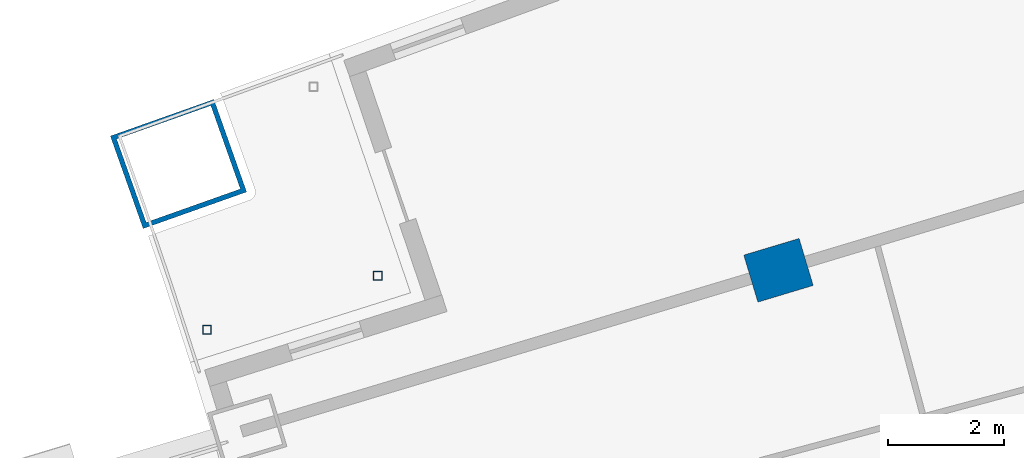
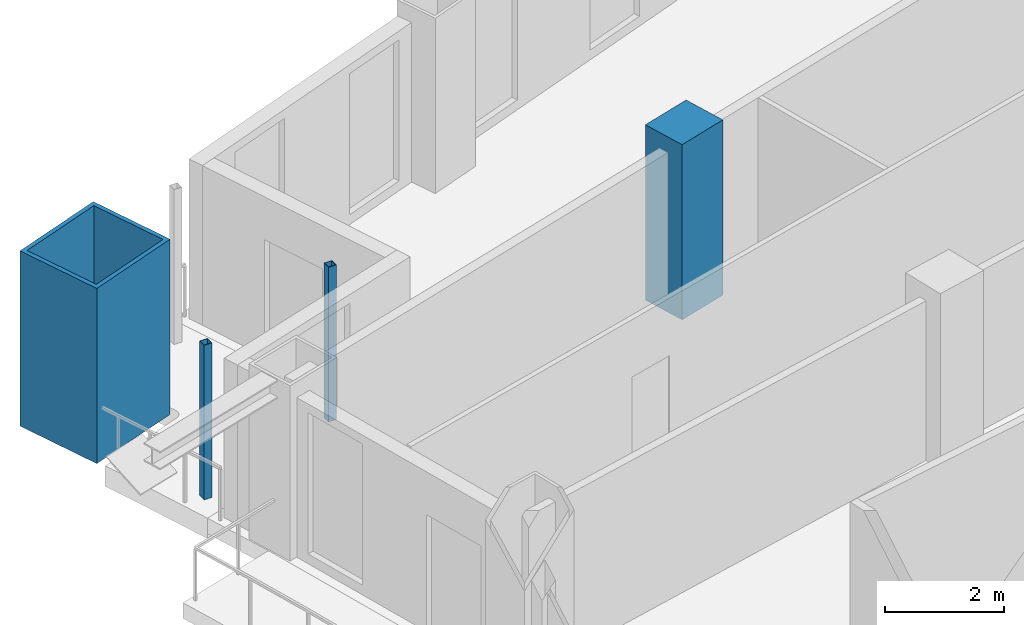
# One storey, part 7 of 25: 4 columns.
"""IFC4 building model written with IfcOpenShell, lengths in metres."""

from ifc_helpers import new_model, si_unit, direction, frame, origin, origin_2d, place, context, subcontext, project, spatial, rectangle, hollow_rectangle, extrude, material, material_profile, profile_set, type_object, element, save


model = new_model("IFC4")

# Units and contexts
model_context = context("Model", 3, precision=1e-05, world=origin(), true_north=direction((0.0, 1.0)))
body_context = subcontext(model_context, "Body", "Model", "MODEL_VIEW")
ifc_project = project(units=[si_unit("LENGTHUNIT", "METRE"), si_unit("AREAUNIT", "SQUARE_METRE"), si_unit("VOLUMEUNIT", "CUBIC_METRE"), si_unit("PLANEANGLEUNIT", "RADIAN"), si_unit("MASSUNIT", "GRAM", prefix="KILO")], contexts=[model_context])

# Site, building, storey
site_placement = place(None, origin())
site = spatial("IfcSite", under=ifc_project, at=site_placement, CompositionType="ELEMENT")
building_placement = place(site_placement, origin())
building = spatial("IfcBuilding", under=site, at=building_placement, Name="Alderwake Tower", CompositionType="ELEMENT")
storey_placement = place(building_placement, frame((0.0, 0.0, 111.199951171875)))
storey = spatial("IfcBuildingStorey", under=building, at=storey_placement, Name="L27", CompositionType="ELEMENT", Elevation=111.199951171875)

# Columns
ifc_material_1 = material(Name="Concrete C70/85", Category="concrete")
ifc_material_profile_1 = material_profile(ifc_material_1, rectangle(XDim=0.85009765625, YDim=1.0, at=origin_2d()), Name="RC 1000X850")
ifc_profile_set_1 = profile_set([ifc_material_profile_1], Name="Concrete C70/85")
column_type_1 = type_object("IfcColumnType", Name="Interior column Z2", PredefinedType="COLUMN", material=ifc_profile_set_1)
column_1_placement = place(storey_placement, frame((21.714599609375, 91.53759765625, 0.0), z_axis=(0.0, 0.0, 1.0), x_axis=(-0.287549418125, 0.957765802342, 0.0)))
element("IfcColumn", 1, at=column_1_placement, inside=storey, type_object=column_type_1, Name="Column R12-C1", PredefinedType="COLUMN", context=body_context, shape_type="SweptSolid", body=[
    extrude(rectangle(XDim=0.85009765625, YDim=1.0, at=origin_2d()), origin(), (0.0, 0.0, 1.0), 3.60009765625),
])
ifc_material_2 = material(Name="Steel ASTM A500 Grade C", Category="steel")
ifc_material_profile_2 = material_profile(ifc_material_2, hollow_rectangle(XDim=0.15234375, YDim=0.15234375, WallThickness=0.0087890625, at=origin_2d()), Name="HSS6X6X3/8")
ifc_profile_set_2 = profile_set([ifc_material_profile_2], Name="Steel ASTM A500 Grade C")
column_type_2 = type_object("IfcColumnType", Name="Light post HSS6X6X3/8", PredefinedType="COLUMN", material=ifc_profile_set_2)
for number, where, z_axis, x_axis, name in (
    (2, (11.82568359375, 90.507080078125, 0.0), (0.0, 0.0, 1.0), (1.0, 0.0, 0.0), "Terrace post RN1"),
    (3, (14.781494140625, 91.441650390625, 0.0), (0.0, 0.0, 1.0), (1.0, 0.0, 0.0), "Terrace post RN3"),
):
    element("IfcColumn", number, at=place(storey_placement, frame(where, z_axis=z_axis, x_axis=x_axis)), inside=storey, type_object=column_type_2, Name=name, PredefinedType="COLUMN", context=body_context, shape_type="SweptSolid", body=[
        extrude(hollow_rectangle(XDim=0.15234375, YDim=0.15234375, WallThickness=0.0087890625, at=origin_2d()), origin(), (0.0, 0.0, 1.0), 3.179931640625),
    ])
ifc_material_3 = material(Name="Steel ASTM A572 Grade 50 concrete filled C70/85", Category="concrete")
ifc_material_profile_3 = material_profile(ifc_material_3, hollow_rectangle(XDim=1.699951171875, YDim=1.89990234375, WallThickness=0.0849609375, at=origin_2d()), Name="BOX 1900X1700X85")
ifc_profile_set_3 = profile_set([ifc_material_profile_3], Name="Steel ASTM A572 Grade 50 concrete filled C70/85")
column_type_3 = type_object("IfcColumnType", Name="Mega column Z2", PredefinedType="COLUMN", material=ifc_profile_set_3)
column_2_placement = place(storey_placement, frame((11.330810546875, 93.377197265625, 0.0), z_axis=(0.0, 0.0, 1.0), x_axis=(-0.334130947791, 0.942526662609, 0.0)))
element("IfcColumn", 4, at=column_2_placement, inside=storey, type_object=column_type_3, Name="Column R13-C0", PredefinedType="COLUMN", context=body_context, shape_type="SweptSolid", body=[
    extrude(hollow_rectangle(XDim=1.699951171875, YDim=1.89990234375, WallThickness=0.0849609375, at=origin_2d()), origin(), (0.0, 0.0, 1.0), 3.60009765625),
])

save(model, "model.ifc")
